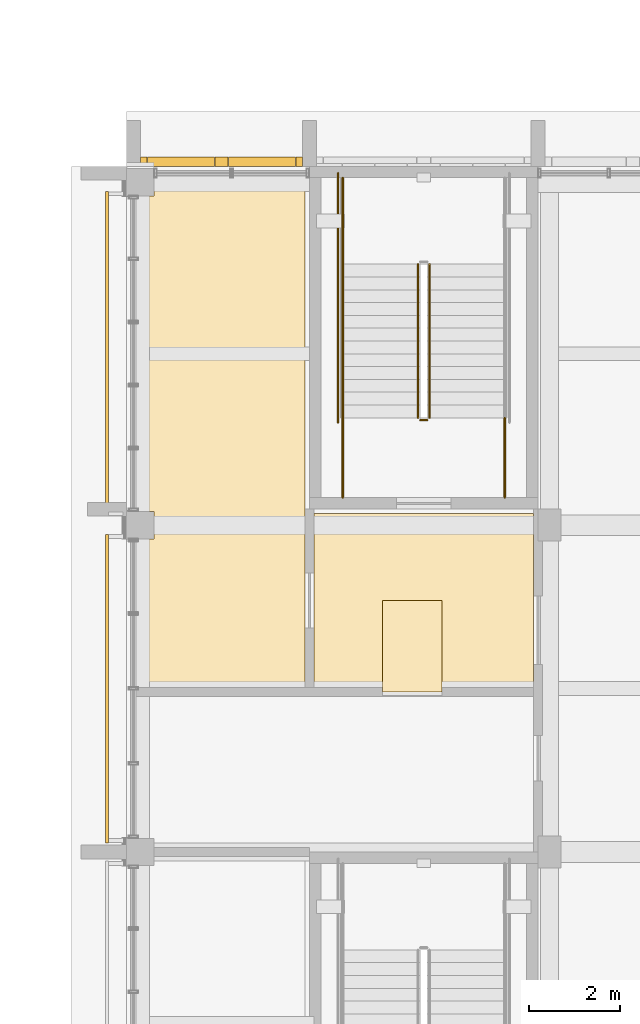
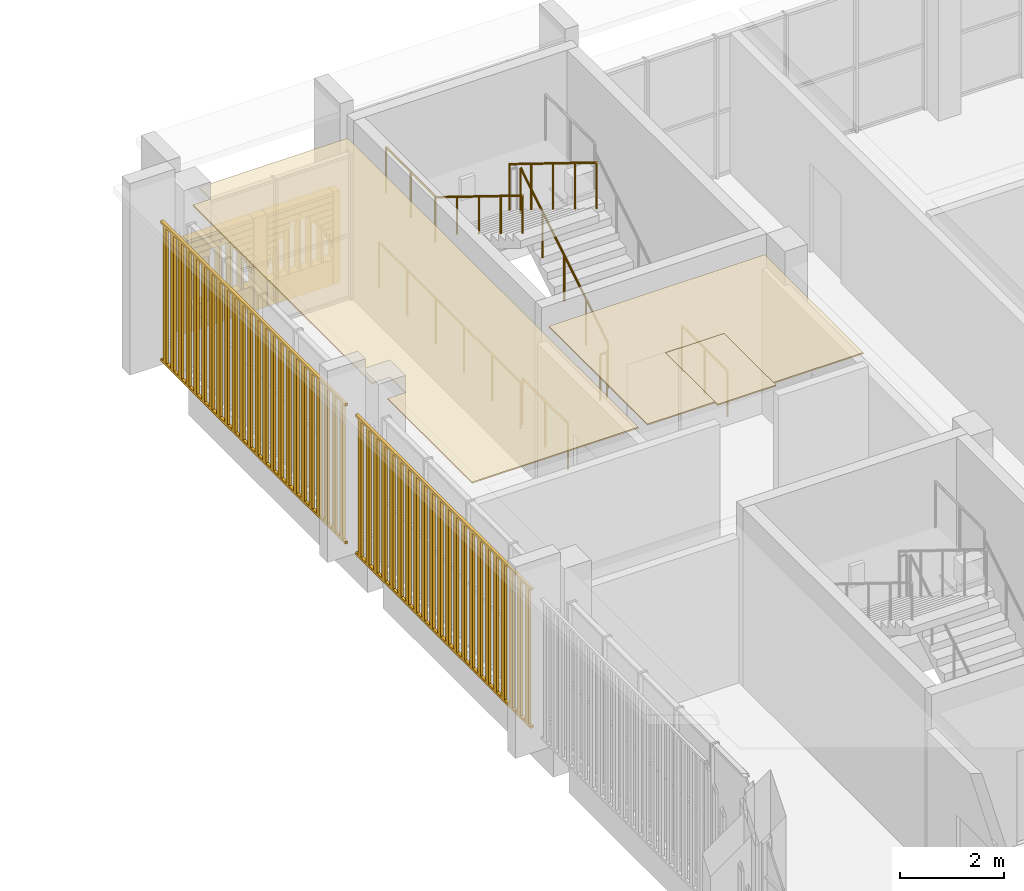
# One storey, part 95 of 98: 8 railings, 4 coverings, 2 shading devices.
"""IFC4 building model written with IfcOpenShell, lengths in metres."""

from ifc_helpers import new_model, si_unit, direction, frame, origin, origin_2d, place, context, subcontext, project, spatial, polyline, rectangle, circle, outline, extrude, material, layer, layer_set, type_object, element, save


model = new_model("IFC4")

# Units and contexts
model_context = context("Model", 3, precision=1e-05, world=origin(), true_north=direction((0.0, 1.0)))
body_context = subcontext(model_context, "Body", "Model", "MODEL_VIEW")
ifc_project = project(units=[si_unit("LENGTHUNIT", "METRE"), si_unit("AREAUNIT", "SQUARE_METRE"), si_unit("VOLUMEUNIT", "CUBIC_METRE"), si_unit("PLANEANGLEUNIT", "RADIAN"), si_unit("MASSUNIT", "GRAM", prefix="KILO")], contexts=[model_context])

# Site, building, storey
site_placement = place(None, origin())
site = spatial("IfcSite", under=ifc_project, at=site_placement, CompositionType="ELEMENT")
building_placement = place(site_placement, origin())
building = spatial("IfcBuilding", under=site, at=building_placement, Name="Sun Court Science Centre", CompositionType="ELEMENT")
storey_placement = place(building_placement, frame((0.0, 0.0, 15.75)))
storey = spatial("IfcBuildingStorey", under=building, at=storey_placement, Name="L03", CompositionType="ELEMENT", Elevation=15.75)

# Coverings
ifc_material_1 = material(Name="Red sandstone", Category="masonry")
ifc_layer_1 = layer(ifc_material_1, 0.199951171875)
ifc_layer_set_1 = layer_set([ifc_layer_1], Name="Red sandstone")
covering_type_1 = type_object("IfcCoveringType", Name="Arched jali screen 200", PredefinedType="CLADDING", material=ifc_layer_set_1)
covering_1_placement = place(storey_placement, frame((0.0, 0.0, -15.75)))
element("IfcCovering", 1, at=covering_1_placement, inside=storey, type_object=covering_type_1, Name="Arched jali screen north L03 01", PredefinedType="CLADDING", context=body_context, shape_type="SweptSolid", body=[
    extrude(rectangle(XDim=0.139892578125, YDim=0.199951171875, at=origin_2d()), frame((78.375, 81.10009765625, 16.054931640625), z_axis=(0.0, 0.0, 1.0), x_axis=(1.0, 0.0, 0.0)), (0.0, 0.0, 1.0), 2.16748046875),
    extrude(rectangle(XDim=0.2900390625, YDim=0.199951171875, at=origin_2d()), frame((80.074951171875, 81.10009765625, 16.054931640625), z_axis=(0.0, 0.0, 1.0), x_axis=(1.0, 0.0, 0.0)), (0.0, 0.0, 1.0), 2.16748046875),
    extrude(rectangle(XDim=0.139892578125, YDim=0.199951171875, at=origin_2d()), frame((81.77490234375, 81.10009765625, 16.054931640625), z_axis=(0.0, 0.0, 1.0), x_axis=(1.0, 0.0, 0.0)), (0.0, 0.0, 1.0), 2.16748046875),
    extrude(rectangle(XDim=1.465087890625, YDim=0.199951171875, at=origin_2d()), frame((79.1875, 81.10009765625, 16.05517578125), z_axis=(0.0, 0.0, 1.0), x_axis=(1.0, 0.0, 0.0)), (0.0, 0.0, 1.0), 0.590087890625),
    extrude(rectangle(XDim=0.03857421875, YDim=0.199951171875, at=origin_2d()), frame((78.47412109375, 81.10009765625, 16.955078125), z_axis=(0.0, 0.0, 1.0), x_axis=(1.0, 0.0, 0.0)), (0.0, 0.0, 1.0), 0.139892578125),
    extrude(rectangle(XDim=0.03857421875, YDim=0.199951171875, at=origin_2d()), frame((79.90087890625, 81.10009765625, 16.955078125), z_axis=(0.0, 0.0, 1.0), x_axis=(1.0, 0.0, 0.0)), (0.0, 0.0, 1.0), 0.139892578125),
    extrude(rectangle(XDim=0.086669921875, YDim=0.199951171875, at=origin_2d()), frame((78.498291015625, 81.10009765625, 17.10498046875), z_axis=(0.0, 0.0, 1.0), x_axis=(1.0, 0.0, 0.0)), (0.0, 0.0, 1.0), 0.139892578125),
    extrude(rectangle(XDim=0.086669921875, YDim=0.199951171875, at=origin_2d()), frame((79.876708984375, 81.10009765625, 17.10498046875), z_axis=(0.0, 0.0, 1.0), x_axis=(1.0, 0.0, 0.0)), (0.0, 0.0, 1.0), 0.139892578125),
    extrude(rectangle(XDim=0.153564453125, YDim=0.199951171875, at=origin_2d()), frame((78.53173828125, 81.10009765625, 17.2548828125), z_axis=(0.0, 0.0, 1.0), x_axis=(1.0, 0.0, 0.0)), (0.0, 0.0, 1.0), 0.139892578125),
    extrude(rectangle(XDim=0.153564453125, YDim=0.199951171875, at=origin_2d()), frame((79.84326171875, 81.10009765625, 17.2548828125), z_axis=(0.0, 0.0, 1.0), x_axis=(1.0, 0.0, 0.0)), (0.0, 0.0, 1.0), 0.139892578125),
    extrude(rectangle(XDim=0.2421875, YDim=0.199951171875, at=origin_2d()), frame((78.576171875, 81.10009765625, 17.4052734375), z_axis=(0.0, 0.0, 1.0), x_axis=(1.0, 0.0, 0.0)), (0.0, 0.0, 1.0), 0.139892578125),
    extrude(rectangle(XDim=0.2421875, YDim=0.199951171875, at=origin_2d()), frame((79.798828125, 81.10009765625, 17.4052734375), z_axis=(0.0, 0.0, 1.0), x_axis=(1.0, 0.0, 0.0)), (0.0, 0.0, 1.0), 0.139892578125),
    extrude(rectangle(XDim=0.358154296875, YDim=0.199951171875, at=origin_2d()), frame((78.634033203125, 81.10009765625, 17.55517578125), z_axis=(0.0, 0.0, 1.0), x_axis=(1.0, 0.0, 0.0)), (0.0, 0.0, 1.0), 0.139892578125),
    extrude(rectangle(XDim=0.358154296875, YDim=0.199951171875, at=origin_2d()), frame((79.740966796875, 81.10009765625, 17.55517578125), z_axis=(0.0, 0.0, 1.0), x_axis=(1.0, 0.0, 0.0)), (0.0, 0.0, 1.0), 0.139892578125),
    extrude(rectangle(XDim=0.510986328125, YDim=0.199951171875, at=origin_2d()), frame((78.71044921875, 81.10009765625, 17.705078125), z_axis=(0.0, 0.0, 1.0), x_axis=(1.0, 0.0, 0.0)), (0.0, 0.0, 1.0), 0.139892578125),
    extrude(rectangle(XDim=0.510986328125, YDim=0.199951171875, at=origin_2d()), frame((79.66455078125, 81.10009765625, 17.705078125), z_axis=(0.0, 0.0, 1.0), x_axis=(1.0, 0.0, 0.0)), (0.0, 0.0, 1.0), 0.139892578125),
    extrude(rectangle(XDim=0.723388671875, YDim=0.199951171875, at=origin_2d()), frame((78.816650390625, 81.10009765625, 17.85498046875), z_axis=(0.0, 0.0, 1.0), x_axis=(1.0, 0.0, 0.0)), (0.0, 0.0, 1.0), 0.139892578125),
    extrude(rectangle(XDim=0.723388671875, YDim=0.199951171875, at=origin_2d()), frame((79.558349609375, 81.10009765625, 17.85498046875), z_axis=(0.0, 0.0, 1.0), x_axis=(1.0, 0.0, 0.0)), (0.0, 0.0, 1.0), 0.139892578125),
    extrude(rectangle(XDim=1.465087890625, YDim=0.199951171875, at=origin_2d()), frame((79.1875, 81.10009765625, 18.0048828125), z_axis=(0.0, 0.0, 1.0), x_axis=(1.0, 0.0, 0.0)), (0.0, 0.0, 1.0), 0.139892578125),
    extrude(rectangle(XDim=1.465087890625, YDim=0.199951171875, at=origin_2d()), frame((79.1875, 81.10009765625, 18.155029296875), z_axis=(0.0, 0.0, 1.0), x_axis=(1.0, 0.0, 0.0)), (0.0, 0.0, 1.0), 0.0673828125),
    extrude(rectangle(XDim=0.0400390625, YDim=0.199951171875, at=origin_2d()), frame((78.69580078125, 81.10009765625, 16.65478515625), z_axis=(0.0, 0.0, 1.0), x_axis=(1.0, 0.0, 0.0)), (0.0, 0.0, 1.0), 0.805419921875),
    extrude(rectangle(XDim=0.0400390625, YDim=0.199951171875, at=origin_2d()), frame((78.941650390625, 81.10009765625, 16.655029296875), z_axis=(0.0, 0.0, 1.0), x_axis=(1.0, 0.0, 0.0)), (0.0, 0.0, 1.0), 1.08935546875),
    extrude(rectangle(XDim=0.0400390625, YDim=0.199951171875, at=origin_2d()), frame((79.1875, 81.10009765625, 16.65478515625), z_axis=(0.0, 0.0, 1.0), x_axis=(1.0, 0.0, 0.0)), (0.0, 0.0, 1.0), 1.267333984375),
    extrude(rectangle(XDim=0.0400390625, YDim=0.199951171875, at=origin_2d()), frame((79.433349609375, 81.10009765625, 16.655029296875), z_axis=(0.0, 0.0, 1.0), x_axis=(1.0, 0.0, 0.0)), (0.0, 0.0, 1.0), 1.08935546875),
    extrude(rectangle(XDim=0.0400390625, YDim=0.199951171875, at=origin_2d()), frame((79.67919921875, 81.10009765625, 16.65478515625), z_axis=(0.0, 0.0, 1.0), x_axis=(1.0, 0.0, 0.0)), (0.0, 0.0, 1.0), 0.805419921875),
    extrude(rectangle(XDim=1.465087890625, YDim=0.199951171875, at=origin_2d()), frame((80.96240234375, 81.10009765625, 16.05517578125), z_axis=(0.0, 0.0, 1.0), x_axis=(1.0, 0.0, 0.0)), (0.0, 0.0, 1.0), 0.590087890625),
    extrude(rectangle(XDim=0.03857421875, YDim=0.199951171875, at=origin_2d()), frame((80.249267578125, 81.10009765625, 16.955078125), z_axis=(0.0, 0.0, 1.0), x_axis=(1.0, 0.0, 0.0)), (0.0, 0.0, 1.0), 0.139892578125),
    extrude(rectangle(XDim=0.03857421875, YDim=0.199951171875, at=origin_2d()), frame((81.67578125, 81.10009765625, 16.955078125), z_axis=(0.0, 0.0, 1.0), x_axis=(1.0, 0.0, 0.0)), (0.0, 0.0, 1.0), 0.139892578125),
    extrude(rectangle(XDim=0.086669921875, YDim=0.199951171875, at=origin_2d()), frame((80.273193359375, 81.10009765625, 17.10498046875), z_axis=(0.0, 0.0, 1.0), x_axis=(1.0, 0.0, 0.0)), (0.0, 0.0, 1.0), 0.139892578125),
    extrude(rectangle(XDim=0.086669921875, YDim=0.199951171875, at=origin_2d()), frame((81.651611328125, 81.10009765625, 17.10498046875), z_axis=(0.0, 0.0, 1.0), x_axis=(1.0, 0.0, 0.0)), (0.0, 0.0, 1.0), 0.139892578125),
    extrude(rectangle(XDim=0.153564453125, YDim=0.199951171875, at=origin_2d()), frame((80.306640625, 81.10009765625, 17.2548828125), z_axis=(0.0, 0.0, 1.0), x_axis=(1.0, 0.0, 0.0)), (0.0, 0.0, 1.0), 0.139892578125),
    extrude(rectangle(XDim=0.153564453125, YDim=0.199951171875, at=origin_2d()), frame((81.6181640625, 81.10009765625, 17.2548828125), z_axis=(0.0, 0.0, 1.0), x_axis=(1.0, 0.0, 0.0)), (0.0, 0.0, 1.0), 0.139892578125),
    extrude(rectangle(XDim=0.2421875, YDim=0.199951171875, at=origin_2d()), frame((80.35107421875, 81.10009765625, 17.4052734375), z_axis=(0.0, 0.0, 1.0), x_axis=(1.0, 0.0, 0.0)), (0.0, 0.0, 1.0), 0.139892578125),
    extrude(rectangle(XDim=0.2421875, YDim=0.199951171875, at=origin_2d()), frame((81.57373046875, 81.10009765625, 17.4052734375), z_axis=(0.0, 0.0, 1.0), x_axis=(1.0, 0.0, 0.0)), (0.0, 0.0, 1.0), 0.139892578125),
    extrude(rectangle(XDim=0.358154296875, YDim=0.199951171875, at=origin_2d()), frame((80.4091796875, 81.10009765625, 17.55517578125), z_axis=(0.0, 0.0, 1.0), x_axis=(1.0, 0.0, 0.0)), (0.0, 0.0, 1.0), 0.139892578125),
    extrude(rectangle(XDim=0.358154296875, YDim=0.199951171875, at=origin_2d()), frame((81.515869140625, 81.10009765625, 17.55517578125), z_axis=(0.0, 0.0, 1.0), x_axis=(1.0, 0.0, 0.0)), (0.0, 0.0, 1.0), 0.139892578125),
    extrude(rectangle(XDim=0.510986328125, YDim=0.199951171875, at=origin_2d()), frame((80.485595703125, 81.10009765625, 17.705078125), z_axis=(0.0, 0.0, 1.0), x_axis=(1.0, 0.0, 0.0)), (0.0, 0.0, 1.0), 0.139892578125),
    extrude(rectangle(XDim=0.510986328125, YDim=0.199951171875, at=origin_2d()), frame((81.439453125, 81.10009765625, 17.705078125), z_axis=(0.0, 0.0, 1.0), x_axis=(1.0, 0.0, 0.0)), (0.0, 0.0, 1.0), 0.139892578125),
    extrude(rectangle(XDim=0.723388671875, YDim=0.199951171875, at=origin_2d()), frame((80.591796875, 81.10009765625, 17.85498046875), z_axis=(0.0, 0.0, 1.0), x_axis=(1.0, 0.0, 0.0)), (0.0, 0.0, 1.0), 0.139892578125),
    extrude(rectangle(XDim=0.723388671875, YDim=0.199951171875, at=origin_2d()), frame((81.333251953125, 81.10009765625, 17.85498046875), z_axis=(0.0, 0.0, 1.0), x_axis=(1.0, 0.0, 0.0)), (0.0, 0.0, 1.0), 0.139892578125),
    extrude(rectangle(XDim=1.465087890625, YDim=0.199951171875, at=origin_2d()), frame((80.96240234375, 81.10009765625, 18.0048828125), z_axis=(0.0, 0.0, 1.0), x_axis=(1.0, 0.0, 0.0)), (0.0, 0.0, 1.0), 0.139892578125),
    extrude(rectangle(XDim=1.465087890625, YDim=0.199951171875, at=origin_2d()), frame((80.96240234375, 81.10009765625, 18.155029296875), z_axis=(0.0, 0.0, 1.0), x_axis=(1.0, 0.0, 0.0)), (0.0, 0.0, 1.0), 0.0673828125),
    extrude(rectangle(XDim=0.0400390625, YDim=0.199951171875, at=origin_2d()), frame((80.470947265625, 81.10009765625, 16.65478515625), z_axis=(0.0, 0.0, 1.0), x_axis=(1.0, 0.0, 0.0)), (0.0, 0.0, 1.0), 0.805419921875),
    extrude(rectangle(XDim=0.0400390625, YDim=0.199951171875, at=origin_2d()), frame((80.716552734375, 81.10009765625, 16.655029296875), z_axis=(0.0, 0.0, 1.0), x_axis=(1.0, 0.0, 0.0)), (0.0, 0.0, 1.0), 1.08935546875),
    extrude(rectangle(XDim=0.0400390625, YDim=0.199951171875, at=origin_2d()), frame((80.96240234375, 81.10009765625, 16.65478515625), z_axis=(0.0, 0.0, 1.0), x_axis=(1.0, 0.0, 0.0)), (0.0, 0.0, 1.0), 1.267333984375),
    extrude(rectangle(XDim=0.0400390625, YDim=0.199951171875, at=origin_2d()), frame((81.208251953125, 81.10009765625, 16.655029296875), z_axis=(0.0, 0.0, 1.0), x_axis=(1.0, 0.0, 0.0)), (0.0, 0.0, 1.0), 1.08935546875),
    extrude(rectangle(XDim=0.0400390625, YDim=0.199951171875, at=origin_2d()), frame((81.4541015625, 81.10009765625, 16.65478515625), z_axis=(0.0, 0.0, 1.0), x_axis=(1.0, 0.0, 0.0)), (0.0, 0.0, 1.0), 0.805419921875),
])
ifc_material_2 = material(Name="Gypsum board")
ifc_layer_2 = layer(ifc_material_2, 0.030029296875)
ifc_layer_set_2 = layer_set([ifc_layer_2], Name="Gypsum board")
covering_type_2 = type_object("IfcCoveringType", Name="Ceiling suspended 600 module", PredefinedType="CEILING", material=ifc_layer_set_2)
covering_2_placement = place(storey_placement, frame((0.0, 0.0, 3.77001953125)))
element("IfcCovering", 2, at=covering_2_placement, inside=storey, type_object=covering_type_2, Name="L03-015 ceiling", PredefinedType="CEILING", context=body_context, shape_type="SweptSolid", body=[
    extrude(outline(polyline([(84.89990234375, 71.5), (83.60009765625, 71.5), (83.60009765625, 69.60009765625), (82.10009765625, 69.60009765625), (82.10009765625, 73.39990234375), (86.89990234375, 73.39990234375), (86.89990234375, 69.60009765625), (84.89990234375, 69.60009765625), (84.89990234375, 71.5)])), origin(), (0.0, 0.0, 1.0), 0.030029296875),
])
covering_3_placement = place(storey_placement, frame((0.0, 0.0, 3.77001953125)))
element("IfcCovering", 3, at=covering_3_placement, inside=storey, type_object=covering_type_2, Name="L03-022 ceiling", PredefinedType="CEILING", context=body_context, shape_type="SweptSolid", body=[
    extrude(outline(polyline([(78.60009765625, 80.800048828125), (81.89990234375, 80.800048828125), (81.89990234375, 69.60009765625), (78.199951171875, 69.60009765625), (78.199951171875, 72.85009765625), (78.60009765625, 72.85009765625), (78.60009765625, 73.449951171875), (78.199951171875, 73.449951171875), (78.199951171875, 80.35009765625), (78.60009765625, 80.35009765625), (78.60009765625, 80.800048828125)])), origin(), (0.0, 0.0, 1.0), 0.030029296875),
])
covering_4_placement = place(storey_placement, frame((0.0, 0.0, 3.77001953125)))
element("IfcCovering", 4, at=covering_4_placement, inside=storey, type_object=covering_type_2, Name="L03-031 ceiling", PredefinedType="CEILING", context=body_context, shape_type="SweptSolid", body=[
    extrude(outline(polyline([(84.89990234375, 71.5), (84.89990234375, 69.5), (83.60009765625, 69.5), (83.60009765625, 71.5), (84.89990234375, 71.5)])), origin(), (0.0, 0.0, 1.0), 0.030029296875),
])

# Railings
ifc_material_3 = material(Name="Steel S275", Category="steel")
railing_type_1 = type_object("IfcRailingType", Name="Guard 1100 steel balustrade", PredefinedType="GUARDRAIL", material=ifc_material_3)
railing_1_placement = place(storey_placement, frame((84.625, 75.498046875, 0.173095703125)))
element("IfcRailing", 5, at=railing_1_placement, inside=storey, type_object=railing_type_1, Name="L03 SL4 stair guard 1", PredefinedType="GUARDRAIL", context=body_context, shape_type="SweptSolid", body=[
    extrude(circle(Radius=0.02392578125, at=origin_2d()), frame((0.0, 0.0, 1.076171875), z_axis=(0.0, 0.850606129759, 0.525803396734), x_axis=(-1.0, 0.0, 0.0)), (0.0, 0.0, 1.0), 3.949951171875),
    extrude(circle(Radius=0.02099609375, at=origin_2d()), origin(), (0.0, 0.0, 1.0), 1.052001953125),
    extrude(circle(Radius=0.02099609375, at=origin_2d()), frame((0.0, 0.83984375, 0.519287109375)), (0.0, 0.0, 1.0), 1.052001953125),
    extrude(circle(Radius=0.02099609375, at=origin_2d()), frame((0.0, 1.679931640625, 1.03857421875)), (0.0, 0.0, 1.0), 1.052001953125),
    extrude(circle(Radius=0.02099609375, at=origin_2d()), frame((0.0, 2.52001953125, 1.5576171875)), (0.0, 0.0, 1.0), 1.052001953125),
    extrude(circle(Radius=0.02099609375, at=origin_2d()), frame((0.0, 3.35986328125, 2.076904296875)), (0.0, 0.0, 1.0), 1.052001953125),
])
railing_2_placement = place(storey_placement, frame((82.72705078125, 78.85791015625, 2.25)))
element("IfcRailing", 6, at=railing_2_placement, inside=storey, type_object=railing_type_1, Name="L03 SL4 stair guard 4", PredefinedType="GUARDRAIL", context=body_context, shape_type="SweptSolid", body=[
    extrude(circle(Radius=0.02392578125, at=origin_2d()), frame((0.0, 0.0, 1.076171875), z_axis=(0.0, 1.0, 0.0), x_axis=(-1.0, 0.0, 0.0)), (0.0, 0.0, 1.0), 1.89208984375),
    extrude(circle(Radius=0.02099609375, at=origin_2d()), origin(), (0.0, 0.0, 1.0), 1.052001953125),
    extrude(circle(Radius=0.02099609375, at=origin_2d()), frame((0.0, 0.946044921875, 0.0)), (0.0, 0.0, 1.0), 1.052001953125),
    extrude(circle(Radius=0.02099609375, at=origin_2d()), frame((0.0, 1.89208984375, 0.0)), (0.0, 0.0, 1.0), 1.052001953125),
])
railing_3_placement = place(storey_placement, frame((84.375, 78.85791015625, 2.423095703125)))
element("IfcRailing", 7, at=railing_3_placement, inside=storey, type_object=railing_type_1, Name="L03 SL4 stair guard 5", PredefinedType="GUARDRAIL", context=body_context, shape_type="SweptSolid", body=[
    extrude(circle(Radius=0.02392578125, at=origin_2d()), frame((0.0, 0.0, 1.076171875), z_axis=(0.0, -0.850606129759, 0.525803396734), x_axis=(1.0, 0.0, 0.0)), (0.0, 0.0, 1.0), 3.949951171875),
    extrude(circle(Radius=0.02099609375, at=origin_2d()), origin(), (0.0, 0.0, 1.0), 1.052001953125),
    extrude(circle(Radius=0.02099609375, at=origin_2d()), frame((0.0, -0.83984375, 0.519287109375)), (0.0, 0.0, 1.0), 1.052001953125),
    extrude(circle(Radius=0.02099609375, at=origin_2d()), frame((0.0, -1.679931640625, 1.03857421875)), (0.0, 0.0, 1.0), 1.052001953125),
    extrude(circle(Radius=0.02099609375, at=origin_2d()), frame((0.0, -2.52001953125, 1.5576171875)), (0.0, 0.0, 1.0), 1.052001953125),
    extrude(circle(Radius=0.02099609375, at=origin_2d()), frame((0.0, -3.35986328125, 2.076904296875)), (0.0, 0.0, 1.0), 1.052001953125),
])
railing_4_placement = place(storey_placement, frame((84.574951171875, 75.447998046875, 0.0)))
element("IfcRailing", 8, at=railing_4_placement, inside=storey, type_object=railing_type_1, Name="L03 SL4 stair guard 6", PredefinedType="GUARDRAIL", context=body_context, shape_type="SweptSolid", body=[
    extrude(circle(Radius=0.02392578125, at=origin_2d()), frame((0.0, 0.0, 1.076171875), z_axis=(-1.0, 0.0, 0.0), x_axis=(0.0, -1.0, 0.0)), (0.0, 0.0, 1.0), 0.14990234375),
    extrude(circle(Radius=0.02099609375, at=origin_2d()), origin(), (0.0, 0.0, 1.0), 1.052001953125),
    extrude(circle(Radius=0.02099609375, at=origin_2d()), frame((-0.14990234375, 0.0, 0.0)), (0.0, 0.0, 1.0), 1.052001953125),
])
for number, where, name in (
    (9, (86.27294921875, 73.75, 0.0), "L03 SL4 stair guard 7"),
    (10, (82.72705078125, 73.75, 0.0), "L03 SL4 stair guard 8"),
):
    element("IfcRailing", number, at=place(storey_placement, frame(where)), inside=storey, type_object=railing_type_1, Name=name, PredefinedType="GUARDRAIL", context=body_context, shape_type="SweptSolid", body=[
        extrude(circle(Radius=0.02392578125, at=origin_2d()), frame((0.0, 0.0, 1.076171875), z_axis=(0.0, 1.0, 0.0), x_axis=(-1.0, 0.0, 0.0)), (0.0, 0.0, 1.0), 1.748046875),
        extrude(circle(Radius=0.02099609375, at=origin_2d()), origin(), (0.0, 0.0, 1.0), 1.052001953125),
        extrude(circle(Radius=0.02099609375, at=origin_2d()), frame((0.0, 0.8740234375, 0.0)), (0.0, 0.0, 1.0), 1.052001953125),
        extrude(circle(Radius=0.02099609375, at=origin_2d()), frame((0.0, 1.748046875, 0.0)), (0.0, 0.0, 1.0), 1.052001953125),
    ])
railing_5_placement = place(storey_placement, frame((82.626953125, 75.39794921875, 0.0)))
element("IfcRailing", 11, at=railing_5_placement, inside=storey, type_object=railing_type_1, Name="L03 SL4 stair guard 10", PredefinedType="GUARDRAIL", context=body_context, shape_type="SweptSolid", body=[
    extrude(circle(Radius=0.02392578125, at=origin_2d()), frame((0.0, 0.0, 1.076171875), z_axis=(0.0, 1.0, 0.0), x_axis=(-1.0, 0.0, 0.0)), (0.0, 0.0, 1.0), 5.4521484375),
    extrude(circle(Radius=0.02099609375, at=origin_2d()), origin(), (0.0, 0.0, 1.0), 1.052001953125),
    extrude(circle(Radius=0.02099609375, at=origin_2d()), frame((0.0, 1.09033203125, 0.0)), (0.0, 0.0, 1.0), 1.052001953125),
    extrude(circle(Radius=0.02099609375, at=origin_2d()), frame((0.0, 2.180908203125, 0.0)), (0.0, 0.0, 1.0), 1.052001953125),
    extrude(circle(Radius=0.02099609375, at=origin_2d()), frame((0.0, 3.271240234375, 0.0)), (0.0, 0.0, 1.0), 1.052001953125),
    extrude(circle(Radius=0.02099609375, at=origin_2d()), frame((0.0, 4.36181640625, 0.0)), (0.0, 0.0, 1.0), 1.052001953125),
    extrude(circle(Radius=0.02099609375, at=origin_2d()), frame((0.0, 5.4521484375, 0.0)), (0.0, 0.0, 1.0), 1.052001953125),
])
ifc_material_4 = material(Name="Stainless steel", Category="steel")
railing_type_2 = type_object("IfcRailingType", Name="Handrail 900 stainless", PredefinedType="HANDRAIL", material=ifc_material_4)
railing_6_placement = place(storey_placement, frame((82.72705078125, 78.85791015625, 2.423095703125)))
element("IfcRailing", 12, at=railing_6_placement, inside=storey, type_object=railing_type_2, Name="L03 SL4 stair handrail 2", PredefinedType="HANDRAIL", context=body_context, shape_type="SweptSolid", body=[
    extrude(circle(Radius=0.02392578125, at=origin_2d()), frame((0.0, 0.0, 0.8759765625), z_axis=(0.0, -0.850606129759, 0.525803396734), x_axis=(1.0, 0.0, 0.0)), (0.0, 0.0, 1.0), 3.949951171875),
    extrude(circle(Radius=0.02099609375, at=origin_2d()), origin(), (0.0, 0.0, 1.0), 0.851806640625),
    extrude(circle(Radius=0.02099609375, at=origin_2d()), frame((0.0, -0.83984375, 0.519287109375)), (0.0, 0.0, 1.0), 0.851806640625),
    extrude(circle(Radius=0.02099609375, at=origin_2d()), frame((0.0, -1.679931640625, 1.03857421875)), (0.0, 0.0, 1.0), 0.851806640625),
    extrude(circle(Radius=0.02099609375, at=origin_2d()), frame((0.0, -2.52001953125, 1.5576171875)), (0.0, 0.0, 1.0), 0.851806640625),
    extrude(circle(Radius=0.02099609375, at=origin_2d()), frame((0.0, -3.35986328125, 2.076904296875)), (0.0, 0.0, 1.0), 0.851806640625),
])

# Shading devices
ifc_material_5 = material(Name="Red sandstone", Category="masonry")
ifc_layer_3 = layer(ifc_material_5, 0.06005859375)
ifc_layer_set_3 = layer_set([ifc_layer_3], Name="Red sandstone")
shading_device_type = type_object("IfcShadingDeviceType", Name="Jali screen, sandstone", PredefinedType="USERDEFINED", material=ifc_layer_set_3)
shading_device_1_placement = place(storey_placement, frame((0.0, 0.0, -15.75)))
element("IfcShadingDevice", 13, at=shading_device_1_placement, inside=storey, type_object=shading_device_type, Name="Jali screen west face L03 08", ObjectType="JALI SCREEN", PredefinedType="USERDEFINED", context=body_context, shape_type="SweptSolid", body=[
    extrude(rectangle(XDim=0.1201171875, YDim=0.06005859375, at=origin_2d()), frame((77.570068359375, 66.353515625, 16.08984375), z_axis=(0.0, 0.0, 1.0), x_axis=(0.0, 1.0, 0.0)), (0.0, 0.0, 1.0), 3.219970703125),
    extrude(rectangle(XDim=0.1201171875, YDim=0.06005859375, at=origin_2d()), frame((77.570068359375, 66.66015625, 16.08984375), z_axis=(0.0, 0.0, 1.0), x_axis=(0.0, 1.0, 0.0)), (0.0, 0.0, 1.0), 3.219970703125),
    extrude(rectangle(XDim=0.1201171875, YDim=0.06005859375, at=origin_2d()), frame((77.570068359375, 66.967041015625, 16.08984375), z_axis=(0.0, 0.0, 1.0), x_axis=(0.0, 1.0, 0.0)), (0.0, 0.0, 1.0), 3.219970703125),
    extrude(rectangle(XDim=0.1201171875, YDim=0.06005859375, at=origin_2d()), frame((77.570068359375, 67.27392578125, 16.08984375), z_axis=(0.0, 0.0, 1.0), x_axis=(0.0, 1.0, 0.0)), (0.0, 0.0, 1.0), 3.219970703125),
    extrude(rectangle(XDim=0.1201171875, YDim=0.06005859375, at=origin_2d()), frame((77.570068359375, 67.58056640625, 16.08984375), z_axis=(0.0, 0.0, 1.0), x_axis=(0.0, 1.0, 0.0)), (0.0, 0.0, 1.0), 3.219970703125),
    extrude(rectangle(XDim=0.1201171875, YDim=0.06005859375, at=origin_2d()), frame((77.570068359375, 67.887451171875, 16.08984375), z_axis=(0.0, 0.0, 1.0), x_axis=(0.0, 1.0, 0.0)), (0.0, 0.0, 1.0), 3.219970703125),
    extrude(rectangle(XDim=0.1201171875, YDim=0.06005859375, at=origin_2d()), frame((77.570068359375, 68.1943359375, 16.08984375), z_axis=(0.0, 0.0, 1.0), x_axis=(0.0, 1.0, 0.0)), (0.0, 0.0, 1.0), 3.219970703125),
    extrude(rectangle(XDim=0.1201171875, YDim=0.06005859375, at=origin_2d()), frame((77.570068359375, 68.501220703125, 16.08984375), z_axis=(0.0, 0.0, 1.0), x_axis=(0.0, 1.0, 0.0)), (0.0, 0.0, 1.0), 3.219970703125),
    extrude(rectangle(XDim=0.1201171875, YDim=0.06005859375, at=origin_2d()), frame((77.570068359375, 68.807861328125, 16.08984375), z_axis=(0.0, 0.0, 1.0), x_axis=(0.0, 1.0, 0.0)), (0.0, 0.0, 1.0), 3.219970703125),
    extrude(rectangle(XDim=0.1201171875, YDim=0.06005859375, at=origin_2d()), frame((77.570068359375, 69.11474609375, 16.08984375), z_axis=(0.0, 0.0, 1.0), x_axis=(0.0, 1.0, 0.0)), (0.0, 0.0, 1.0), 3.219970703125),
    extrude(rectangle(XDim=0.1201171875, YDim=0.06005859375, at=origin_2d()), frame((77.570068359375, 69.421630859375, 16.08984375), z_axis=(0.0, 0.0, 1.0), x_axis=(0.0, 1.0, 0.0)), (0.0, 0.0, 1.0), 3.219970703125),
    extrude(rectangle(XDim=0.1201171875, YDim=0.06005859375, at=origin_2d()), frame((77.570068359375, 69.728515625, 16.08984375), z_axis=(0.0, 0.0, 1.0), x_axis=(0.0, 1.0, 0.0)), (0.0, 0.0, 1.0), 3.219970703125),
    extrude(rectangle(XDim=0.1201171875, YDim=0.06005859375, at=origin_2d()), frame((77.570068359375, 70.03515625, 16.08984375), z_axis=(0.0, 0.0, 1.0), x_axis=(0.0, 1.0, 0.0)), (0.0, 0.0, 1.0), 3.219970703125),
    extrude(rectangle(XDim=0.1201171875, YDim=0.06005859375, at=origin_2d()), frame((77.570068359375, 70.342041015625, 16.08984375), z_axis=(0.0, 0.0, 1.0), x_axis=(0.0, 1.0, 0.0)), (0.0, 0.0, 1.0), 3.219970703125),
    extrude(rectangle(XDim=0.1201171875, YDim=0.06005859375, at=origin_2d()), frame((77.570068359375, 70.64892578125, 16.08984375), z_axis=(0.0, 0.0, 1.0), x_axis=(0.0, 1.0, 0.0)), (0.0, 0.0, 1.0), 3.219970703125),
    extrude(rectangle(XDim=0.1201171875, YDim=0.06005859375, at=origin_2d()), frame((77.570068359375, 70.95556640625, 16.08984375), z_axis=(0.0, 0.0, 1.0), x_axis=(0.0, 1.0, 0.0)), (0.0, 0.0, 1.0), 3.219970703125),
    extrude(rectangle(XDim=0.1201171875, YDim=0.06005859375, at=origin_2d()), frame((77.570068359375, 71.262451171875, 16.08984375), z_axis=(0.0, 0.0, 1.0), x_axis=(0.0, 1.0, 0.0)), (0.0, 0.0, 1.0), 3.219970703125),
    extrude(rectangle(XDim=0.1201171875, YDim=0.06005859375, at=origin_2d()), frame((77.570068359375, 71.5693359375, 16.08984375), z_axis=(0.0, 0.0, 1.0), x_axis=(0.0, 1.0, 0.0)), (0.0, 0.0, 1.0), 3.219970703125),
    extrude(rectangle(XDim=0.1201171875, YDim=0.06005859375, at=origin_2d()), frame((77.570068359375, 71.876220703125, 16.08984375), z_axis=(0.0, 0.0, 1.0), x_axis=(0.0, 1.0, 0.0)), (0.0, 0.0, 1.0), 3.219970703125),
    extrude(rectangle(XDim=0.1201171875, YDim=0.06005859375, at=origin_2d()), frame((77.570068359375, 72.182861328125, 16.08984375), z_axis=(0.0, 0.0, 1.0), x_axis=(0.0, 1.0, 0.0)), (0.0, 0.0, 1.0), 3.219970703125),
    extrude(rectangle(XDim=0.1201171875, YDim=0.06005859375, at=origin_2d()), frame((77.570068359375, 72.48974609375, 16.08984375), z_axis=(0.0, 0.0, 1.0), x_axis=(0.0, 1.0, 0.0)), (0.0, 0.0, 1.0), 3.219970703125),
    extrude(rectangle(XDim=0.1201171875, YDim=0.06005859375, at=origin_2d()), frame((77.570068359375, 72.796630859375, 16.08984375), z_axis=(0.0, 0.0, 1.0), x_axis=(0.0, 1.0, 0.0)), (0.0, 0.0, 1.0), 3.219970703125),
    extrude(rectangle(XDim=6.75, YDim=0.06005859375, at=origin_2d()), frame((77.570068359375, 69.574951171875, 16.050048828125), z_axis=(0.0, 0.0, 1.0), x_axis=(0.0, 1.0, 0.0)), (0.0, 0.0, 1.0), 0.06005859375),
    extrude(rectangle(XDim=6.75, YDim=0.06005859375, at=origin_2d()), frame((77.570068359375, 69.574951171875, 19.2900390625), z_axis=(0.0, 0.0, 1.0), x_axis=(0.0, 1.0, 0.0)), (0.0, 0.0, 1.0), 0.06005859375),
])
shading_device_2_placement = place(storey_placement, frame((0.0, 0.0, -15.75)))
element("IfcShadingDevice", 14, at=shading_device_2_placement, inside=storey, type_object=shading_device_type, Name="Jali screen west face L03 09", ObjectType="JALI SCREEN", PredefinedType="USERDEFINED", context=body_context, shape_type="SweptSolid", body=[
    extrude(rectangle(XDim=0.1201171875, YDim=0.06005859375, at=origin_2d()), frame((77.570068359375, 73.497802734375, 16.08984375), z_axis=(0.0, 0.0, 1.0), x_axis=(0.0, 1.0, 0.0)), (0.0, 0.0, 1.0), 3.219970703125),
    extrude(rectangle(XDim=0.1201171875, YDim=0.06005859375, at=origin_2d()), frame((77.570068359375, 73.793701171875, 16.08984375), z_axis=(0.0, 0.0, 1.0), x_axis=(0.0, 1.0, 0.0)), (0.0, 0.0, 1.0), 3.219970703125),
    extrude(rectangle(XDim=0.1201171875, YDim=0.06005859375, at=origin_2d()), frame((77.570068359375, 74.089599609375, 16.08984375), z_axis=(0.0, 0.0, 1.0), x_axis=(0.0, 1.0, 0.0)), (0.0, 0.0, 1.0), 3.219970703125),
    extrude(rectangle(XDim=0.1201171875, YDim=0.06005859375, at=origin_2d()), frame((77.570068359375, 74.385498046875, 16.08984375), z_axis=(0.0, 0.0, 1.0), x_axis=(0.0, 1.0, 0.0)), (0.0, 0.0, 1.0), 3.219970703125),
    extrude(rectangle(XDim=0.1201171875, YDim=0.06005859375, at=origin_2d()), frame((77.570068359375, 74.68115234375, 16.08984375), z_axis=(0.0, 0.0, 1.0), x_axis=(0.0, 1.0, 0.0)), (0.0, 0.0, 1.0), 3.219970703125),
    extrude(rectangle(XDim=0.1201171875, YDim=0.06005859375, at=origin_2d()), frame((77.570068359375, 74.97705078125, 16.08984375), z_axis=(0.0, 0.0, 1.0), x_axis=(0.0, 1.0, 0.0)), (0.0, 0.0, 1.0), 3.219970703125),
    extrude(rectangle(XDim=0.1201171875, YDim=0.06005859375, at=origin_2d()), frame((77.570068359375, 75.27294921875, 16.08984375), z_axis=(0.0, 0.0, 1.0), x_axis=(0.0, 1.0, 0.0)), (0.0, 0.0, 1.0), 3.219970703125),
    extrude(rectangle(XDim=0.1201171875, YDim=0.06005859375, at=origin_2d()), frame((77.570068359375, 75.56884765625, 16.08984375), z_axis=(0.0, 0.0, 1.0), x_axis=(0.0, 1.0, 0.0)), (0.0, 0.0, 1.0), 3.219970703125),
    extrude(rectangle(XDim=0.1201171875, YDim=0.06005859375, at=origin_2d()), frame((77.570068359375, 75.864501953125, 16.08984375), z_axis=(0.0, 0.0, 1.0), x_axis=(0.0, 1.0, 0.0)), (0.0, 0.0, 1.0), 3.219970703125),
    extrude(rectangle(XDim=0.1201171875, YDim=0.06005859375, at=origin_2d()), frame((77.570068359375, 76.160400390625, 16.08984375), z_axis=(0.0, 0.0, 1.0), x_axis=(0.0, 1.0, 0.0)), (0.0, 0.0, 1.0), 3.219970703125),
    extrude(rectangle(XDim=0.1201171875, YDim=0.06005859375, at=origin_2d()), frame((77.570068359375, 76.456298828125, 16.08984375), z_axis=(0.0, 0.0, 1.0), x_axis=(0.0, 1.0, 0.0)), (0.0, 0.0, 1.0), 3.219970703125),
    extrude(rectangle(XDim=0.1201171875, YDim=0.06005859375, at=origin_2d()), frame((77.570068359375, 76.752197265625, 16.08984375), z_axis=(0.0, 0.0, 1.0), x_axis=(0.0, 1.0, 0.0)), (0.0, 0.0, 1.0), 3.219970703125),
    extrude(rectangle(XDim=0.1201171875, YDim=0.06005859375, at=origin_2d()), frame((77.570068359375, 77.0478515625, 16.08984375), z_axis=(0.0, 0.0, 1.0), x_axis=(0.0, 1.0, 0.0)), (0.0, 0.0, 1.0), 3.219970703125),
    extrude(rectangle(XDim=0.1201171875, YDim=0.06005859375, at=origin_2d()), frame((77.570068359375, 77.34375, 16.08984375), z_axis=(0.0, 0.0, 1.0), x_axis=(0.0, 1.0, 0.0)), (0.0, 0.0, 1.0), 3.219970703125),
    extrude(rectangle(XDim=0.1201171875, YDim=0.06005859375, at=origin_2d()), frame((77.570068359375, 77.6396484375, 16.08984375), z_axis=(0.0, 0.0, 1.0), x_axis=(0.0, 1.0, 0.0)), (0.0, 0.0, 1.0), 3.219970703125),
    extrude(rectangle(XDim=0.1201171875, YDim=0.06005859375, at=origin_2d()), frame((77.570068359375, 77.935302734375, 16.08984375), z_axis=(0.0, 0.0, 1.0), x_axis=(0.0, 1.0, 0.0)), (0.0, 0.0, 1.0), 3.219970703125),
    extrude(rectangle(XDim=0.1201171875, YDim=0.06005859375, at=origin_2d()), frame((77.570068359375, 78.231201171875, 16.08984375), z_axis=(0.0, 0.0, 1.0), x_axis=(0.0, 1.0, 0.0)), (0.0, 0.0, 1.0), 3.219970703125),
    extrude(rectangle(XDim=0.1201171875, YDim=0.06005859375, at=origin_2d()), frame((77.570068359375, 78.527099609375, 16.08984375), z_axis=(0.0, 0.0, 1.0), x_axis=(0.0, 1.0, 0.0)), (0.0, 0.0, 1.0), 3.219970703125),
    extrude(rectangle(XDim=0.1201171875, YDim=0.06005859375, at=origin_2d()), frame((77.570068359375, 78.822998046875, 16.08984375), z_axis=(0.0, 0.0, 1.0), x_axis=(0.0, 1.0, 0.0)), (0.0, 0.0, 1.0), 3.219970703125),
    extrude(rectangle(XDim=0.1201171875, YDim=0.06005859375, at=origin_2d()), frame((77.570068359375, 79.11865234375, 16.08984375), z_axis=(0.0, 0.0, 1.0), x_axis=(0.0, 1.0, 0.0)), (0.0, 0.0, 1.0), 3.219970703125),
    extrude(rectangle(XDim=0.1201171875, YDim=0.06005859375, at=origin_2d()), frame((77.570068359375, 79.41455078125, 16.08984375), z_axis=(0.0, 0.0, 1.0), x_axis=(0.0, 1.0, 0.0)), (0.0, 0.0, 1.0), 3.219970703125),
    extrude(rectangle(XDim=0.1201171875, YDim=0.06005859375, at=origin_2d()), frame((77.570068359375, 79.71044921875, 16.08984375), z_axis=(0.0, 0.0, 1.0), x_axis=(0.0, 1.0, 0.0)), (0.0, 0.0, 1.0), 3.219970703125),
    extrude(rectangle(XDim=0.1201171875, YDim=0.06005859375, at=origin_2d()), frame((77.570068359375, 80.00634765625, 16.08984375), z_axis=(0.0, 0.0, 1.0), x_axis=(0.0, 1.0, 0.0)), (0.0, 0.0, 1.0), 3.219970703125),
    extrude(rectangle(XDim=0.1201171875, YDim=0.06005859375, at=origin_2d()), frame((77.570068359375, 80.302001953125, 16.08984375), z_axis=(0.0, 0.0, 1.0), x_axis=(0.0, 1.0, 0.0)), (0.0, 0.0, 1.0), 3.219970703125),
    extrude(rectangle(XDim=7.10009765625, YDim=0.06005859375, at=origin_2d()), frame((77.570068359375, 76.89990234375, 16.050048828125), z_axis=(0.0, 0.0, 1.0), x_axis=(0.0, 1.0, 0.0)), (0.0, 0.0, 1.0), 0.06005859375),
    extrude(rectangle(XDim=7.10009765625, YDim=0.06005859375, at=origin_2d()), frame((77.570068359375, 76.89990234375, 19.2900390625), z_axis=(0.0, 0.0, 1.0), x_axis=(0.0, 1.0, 0.0)), (0.0, 0.0, 1.0), 0.06005859375),
])

save(model, "model.ifc")
